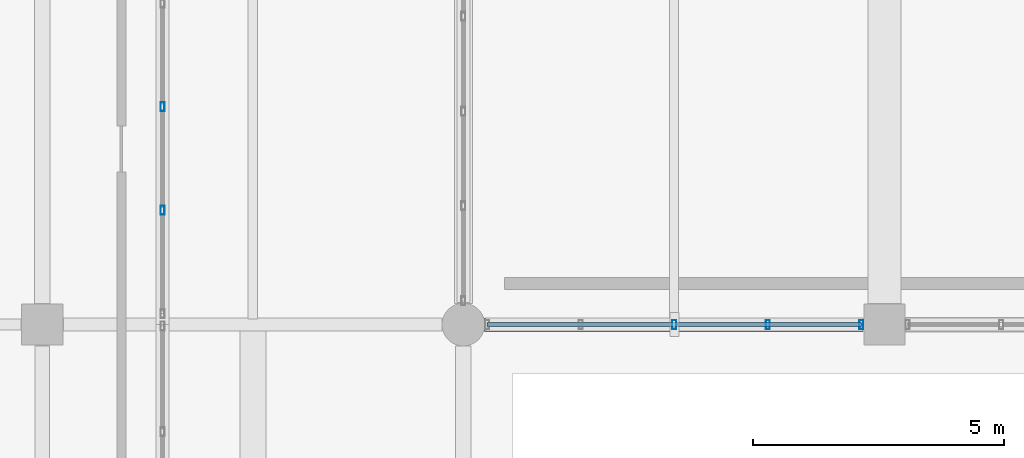
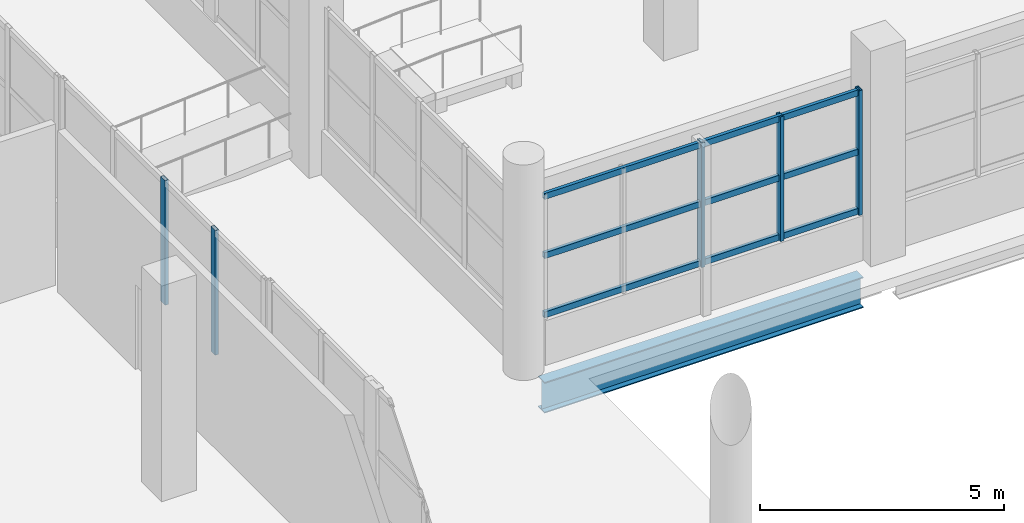
# One storey, part 27 of 107: 8 members, 1 beam, 2 elements without a shape of their own.
"""IFC4 building model written with IfcOpenShell, lengths in metres."""

from ifc_helpers import new_model, si_unit, direction, frame, origin, origin_2d, place, context, subcontext, project, spatial, hollow_rectangle, i_section, extrude, material, material_profile, profile_set, type_object, element, aggregate, save


model = new_model("IFC4")

# Units and contexts
model_context = context("Model", 3, precision=1e-05, world=origin(), true_north=direction((0.0, 1.0)))
body_context = subcontext(model_context, "Body", "Model", "MODEL_VIEW")
ifc_project = project(units=[si_unit("LENGTHUNIT", "METRE"), si_unit("AREAUNIT", "SQUARE_METRE"), si_unit("VOLUMEUNIT", "CUBIC_METRE"), si_unit("PLANEANGLEUNIT", "RADIAN"), si_unit("MASSUNIT", "GRAM", prefix="KILO")], contexts=[model_context])

# Site, building, storey
site_placement = place(None, origin())
site = spatial("IfcSite", under=ifc_project, at=site_placement, CompositionType="ELEMENT")
building_placement = place(site_placement, origin())
building = spatial("IfcBuilding", under=site, at=building_placement, Name="Solvento Point Concert Hall", CompositionType="ELEMENT")
storey_placement = place(building_placement, origin())
storey = spatial("IfcBuildingStorey", under=building, at=storey_placement, Name="L00", CompositionType="ELEMENT", Elevation=0.0)

# Beam
ifc_material_1 = material(Name="Structural Steel ASTM A992 Grade 50", Category="steel")
ifc_material_profile_1 = material_profile(ifc_material_1, i_section(OverallWidth=0.26806640625, OverallDepth=0.77001953125, WebThickness=0.015625, FlangeThickness=0.025390625, at=origin_2d()), Name="W30X132")
ifc_profile_set_1 = profile_set([ifc_material_profile_1], Name="Structural Steel ASTM A992 Grade 50")
beam_type = type_object("IfcBeamType", Name="Girder_W30X132", PredefinedType="USERDEFINED", material=ifc_profile_set_1)
beam_placement = place(storey_placement, frame((24.424072265625, 119.0, -0.799072265625), z_axis=(1.0, 0.0, 0.0), x_axis=(0.0, 1.0, 0.0)))
element("IfcBeam", 1, at=beam_placement, inside=storey, type_object=beam_type, Name="Primary girder B-68 L00", ObjectType="GIRDER", PredefinedType="USERDEFINED", context=body_context, shape_type="SweptSolid", body=[
    extrude(i_section(OverallWidth=0.26806640625, OverallDepth=0.77001953125, WebThickness=0.015625, FlangeThickness=0.025390625, at=origin_2d()), origin(), (0.0, 0.0, 1.0), 7.552001953125),
])

# Curtain wall, members
ifc_material_2 = material(Name="Anodized Bronze Aluminium", Category="aluminium")
curtain_wall_type = type_object("IfcCurtainWallType", Name="CurtainWall_CourtPilotis", PredefinedType="USERDEFINED", material=ifc_material_2)
curtain_wall_1_placement = place(storey_placement, origin())
curtain_wall_1 = element("IfcCurtainWall", 2, at=curtain_wall_1_placement, inside=storey, type_object=curtain_wall_type, Name="Unitised curtain wall CW-96 UCW-L00-022", ObjectType="UNITISED CURTAIN WALL", PredefinedType="USERDEFINED")
ifc_material_3 = material(Name="Anodized Bronze Aluminium", Category="aluminium")
ifc_material_profile_2 = material_profile(ifc_material_3, hollow_rectangle(XDim=0.080078125, YDim=0.179931640625, WallThickness=0.00390625, at=origin_2d()), Name="CW-MUL-80X180")
ifc_profile_set_2 = profile_set([ifc_material_profile_2], Name="Anodized Bronze Aluminium")
member_type_1 = type_object("IfcMemberType", Name="Mullion_80x180", PredefinedType="MULLION", material=ifc_profile_set_2)
member_1_placement = place(storey_placement, frame((28.20751953125, 119.0, 1.1201171875), z_axis=(0.0, 0.0, 1.0), x_axis=(1.0, 0.0, 0.0)))
member_1 = element("IfcMember", 3, at=member_1_placement, type_object=member_type_1, Name="Curtain wall mullion ML-01", PredefinedType="MULLION", context=body_context, shape_type="SweptSolid", body=[
    extrude(hollow_rectangle(XDim=0.080078125, YDim=0.179931640625, WallThickness=0.00390625, at=origin_2d()), origin(), (0.0, 0.0, 1.0), 3.125),
])
member_2_placement = place(storey_placement, frame((30.07373046875, 119.0, 1.1201171875), z_axis=(0.0, 0.0, 1.0), x_axis=(1.0, 0.0, 0.0)))
member_2 = element("IfcMember", 4, at=member_2_placement, type_object=member_type_1, Name="Curtain wall mullion ML-01", PredefinedType="MULLION", context=body_context, shape_type="SweptSolid", body=[
    extrude(hollow_rectangle(XDim=0.080078125, YDim=0.179931640625, WallThickness=0.00390625, at=origin_2d()), origin(), (0.0, 0.0, 1.0), 3.125),
])
member_3_placement = place(storey_placement, frame((31.93994140625, 119.0, 1.1201171875), z_axis=(0.0, 0.0, 1.0), x_axis=(1.0, 0.0, 0.0)))
member_3 = element("IfcMember", 5, at=member_3_placement, type_object=member_type_1, Name="Curtain wall mullion ML-01", PredefinedType="MULLION", context=body_context, shape_type="SweptSolid", body=[
    extrude(hollow_rectangle(XDim=0.080078125, YDim=0.179931640625, WallThickness=0.00390625, at=origin_2d()), origin(), (0.0, 0.0, 1.0), 3.125),
])

curtain_wall_2_placement = place(storey_placement, origin())
curtain_wall_2 = element("IfcCurtainWall", 6, at=curtain_wall_2_placement, inside=storey, type_object=curtain_wall_type, Name="Unitised curtain wall CW-96 UCW-L00-065", ObjectType="UNITISED CURTAIN WALL", PredefinedType="USERDEFINED")
member_4_placement = place(storey_placement, frame((18.0, 121.282470703125, 1.1201171875), z_axis=(0.0, 0.0, 1.0), x_axis=(1.0, 0.0, 0.0)))
member_4 = element("IfcMember", 7, at=member_4_placement, type_object=member_type_1, Name="Curtain wall mullion ML-01", PredefinedType="MULLION", context=body_context, shape_type="SweptSolid", body=[
    extrude(hollow_rectangle(XDim=0.080078125, YDim=0.179931640625, WallThickness=0.00390625, at=origin_2d()), origin(), (0.0, 0.0, 1.0), 3.125),
])
member_5_placement = place(storey_placement, frame((18.0, 123.344970703125, 1.1201171875), z_axis=(0.0, 0.0, 1.0), x_axis=(1.0, 0.0, 0.0)))
member_5 = element("IfcMember", 8, at=member_5_placement, type_object=member_type_1, Name="Curtain wall mullion ML-01", PredefinedType="MULLION", context=body_context, shape_type="SweptSolid", body=[
    extrude(hollow_rectangle(XDim=0.080078125, YDim=0.179931640625, WallThickness=0.00390625, at=origin_2d()), origin(), (0.0, 0.0, 1.0), 3.125),
])
aggregate(curtain_wall_2, [member_4, member_5])

# Member
ifc_material_4 = material(Name="Anodized Bronze Aluminium", Category="aluminium")
ifc_material_profile_3 = material_profile(ifc_material_4, hollow_rectangle(XDim=0.080078125, YDim=0.14990234375, WallThickness=0.00390625, at=origin_2d()), Name="CW-TRN-80X150")
ifc_profile_set_3 = profile_set([ifc_material_profile_3], Name="Anodized Bronze Aluminium")
member_type_2 = type_object("IfcMemberType", Name="Transom_80x150", PredefinedType="USERDEFINED", material=ifc_profile_set_3)
member_6_placement = place(storey_placement, frame((24.47509765625, 119.0, 1.199951171875), z_axis=(1.0, 0.0, 0.0), x_axis=(0.0, 1.0, 0.0)))
member_6 = element("IfcMember", 9, at=member_6_placement, type_object=member_type_2, Name="Curtain wall transom TR-01", ObjectType="TRANSOM", PredefinedType="USERDEFINED", context=body_context, shape_type="SweptSolid", body=[
    extrude(hollow_rectangle(XDim=0.080078125, YDim=0.14990234375, WallThickness=0.00390625, at=origin_2d()), origin(), (0.0, 0.0, 1.0), 7.46484375),
])

member_7_placement = place(storey_placement, frame((24.47509765625, 119.0, 2.6826171875), z_axis=(1.0, 0.0, 0.0), x_axis=(0.0, 1.0, 0.0)))
member_7 = element("IfcMember", 10, at=member_7_placement, type_object=member_type_2, Name="Curtain wall transom TR-01", ObjectType="TRANSOM", PredefinedType="USERDEFINED", context=body_context, shape_type="SweptSolid", body=[
    extrude(hollow_rectangle(XDim=0.080078125, YDim=0.14990234375, WallThickness=0.00390625, at=origin_2d()), origin(), (0.0, 0.0, 1.0), 7.46484375),
])

member_8_placement = place(storey_placement, frame((24.47509765625, 119.0, 4.1650390625), z_axis=(1.0, 0.0, 0.0), x_axis=(0.0, 1.0, 0.0)))
member_8 = element("IfcMember", 11, at=member_8_placement, type_object=member_type_2, Name="Curtain wall transom TR-01", ObjectType="TRANSOM", PredefinedType="USERDEFINED", context=body_context, shape_type="SweptSolid", body=[
    extrude(hollow_rectangle(XDim=0.080078125, YDim=0.14990234375, WallThickness=0.00390625, at=origin_2d()), origin(), (0.0, 0.0, 1.0), 7.46484375),
])

aggregate(curtain_wall_1, [member_1, member_2, member_3, member_6, member_7, member_8])

save(model, "model.ifc")
